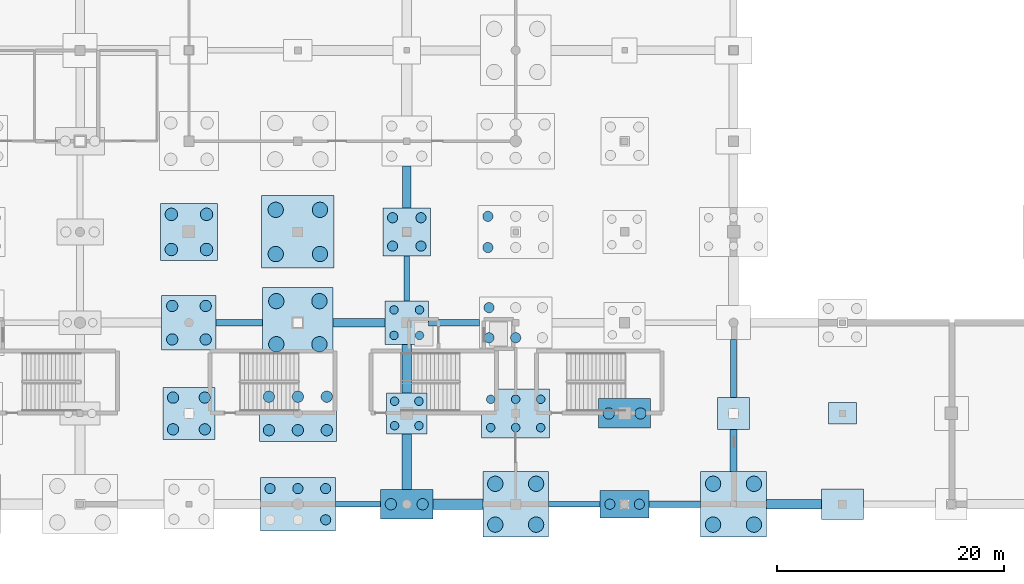
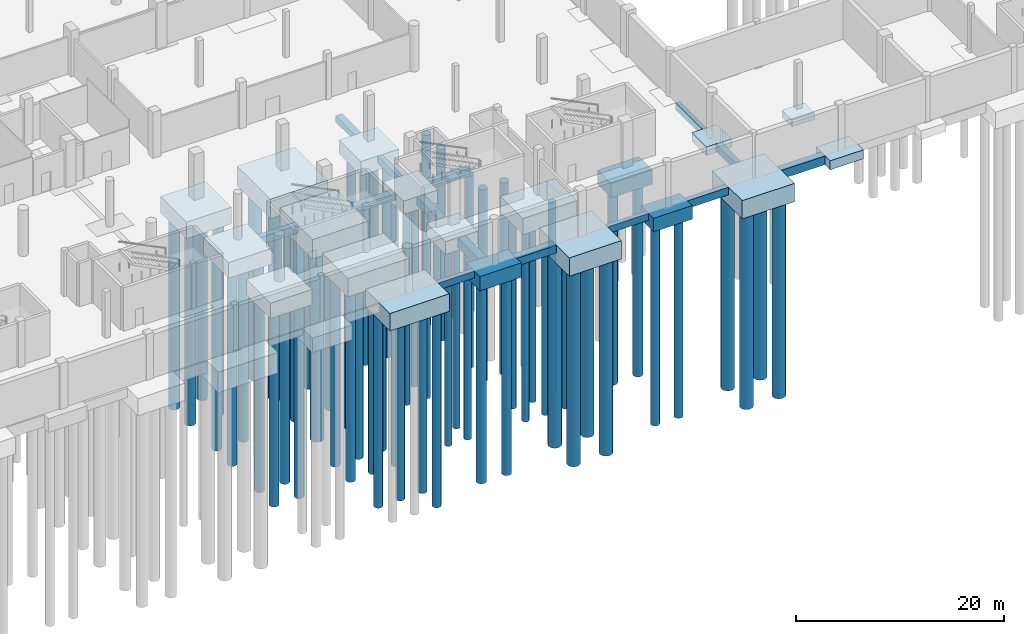
# One storey, part 4 of 44: 67 piles, 33 footings.
"""IFC4 building model written with IfcOpenShell, lengths in metres."""

from ifc_helpers import new_model, si_unit, direction, frame, origin, origin_2d, place, context, subcontext, project, spatial, rectangle, circle, extrude, material, material_profile, profile_set, type_object, element, save


model = new_model("IFC4")

# Units and contexts
model_context = context("Model", 3, precision=1e-05, world=origin(), true_north=direction((0.0, 1.0)))
body_context = subcontext(model_context, "Body", "Model", "MODEL_VIEW")
ifc_project = project(units=[si_unit("LENGTHUNIT", "METRE"), si_unit("AREAUNIT", "SQUARE_METRE"), si_unit("VOLUMEUNIT", "CUBIC_METRE"), si_unit("PLANEANGLEUNIT", "RADIAN"), si_unit("MASSUNIT", "GRAM", prefix="KILO")], contexts=[model_context])

# Site, building, storey
site_placement = place(None, origin())
site = spatial("IfcSite", under=ifc_project, at=site_placement, CompositionType="ELEMENT")
building_placement = place(site_placement, origin())
building = spatial("IfcBuilding", under=site, at=building_placement, Name="Danafjord Basin Convention Centre", CompositionType="ELEMENT")
storey_placement = place(building_placement, frame((0.0, 0.0, -5.39990234375)))
storey = spatial("IfcBuildingStorey", under=building, at=storey_placement, Name="B1", CompositionType="ELEMENT", Elevation=-5.39990234375)

# Footings
ifc_material_1 = material(Name="Concrete C40/50", Category="concrete")
footing_type_1 = type_object("IfcFootingType", Name="CAP-PC-04", PredefinedType="PILE_CAP", material=ifc_material_1)
footing_1_placement = place(storey_placement, frame((105.60009765625, 8.0, -1.60009765625), z_axis=(0.0, 0.0, 1.0), x_axis=(1.0, 0.0, 0.0)))
element("IfcFooting", 1, at=footing_1_placement, inside=storey, type_object=footing_type_1, Name="B1 pile cap PC-04 at (105.6, 8.0)", PredefinedType="PILE_CAP", context=body_context, shape_type="SweptSolid", body=[
    extrude(rectangle(XDim=4.300048828125, YDim=2.39990234375, at=origin_2d()), origin(), (0.0, 0.0, 1.0), 1.60009765625),
])
footing_type_2 = type_object("IfcFootingType", Name="CAP-PC-05", PredefinedType="PILE_CAP", material=ifc_material_1)
for number, where, z_axis, x_axis, name in (
    (2, (86.39990234375, 8.0, -1.7001953125), (0.0, 0.0, 1.0), (1.0, 0.0, 0.0), "B1 pile cap PC-05 at (86.4, 8.0)"),
    (3, (105.60009765625, 16.0, -2.35009765625), (0.0, 0.0, 1.0), (1.0, 0.0, 0.0), "B1 pile cap PC-05 at (105.6, 16.0)"),
):
    element("IfcFooting", number, at=place(storey_placement, frame(where, z_axis=z_axis, x_axis=x_axis)), inside=storey, type_object=footing_type_2, Name=name, PredefinedType="PILE_CAP", context=body_context, shape_type="SweptSolid", body=[
        extrude(rectangle(XDim=4.60009765625, YDim=2.60009765625, at=origin_2d()), origin(), (0.0, 0.0, 1.0), 1.699951171875),
    ])
footing_type_3 = type_object("IfcFootingType", Name="CAP-PC-06", PredefinedType="PILE_CAP", material=ifc_material_1)
footing_2_placement = place(storey_placement, frame((86.39990234375, 16.0, -2.150146484375), z_axis=(0.0, 0.0, 1.0), x_axis=(1.0, 0.0, 0.0)))
element("IfcFooting", 4, at=footing_2_placement, inside=storey, type_object=footing_type_3, Name="B1 pile cap PC-06 at (86.4, 16.0)", PredefinedType="PILE_CAP", context=body_context, shape_type="SweptSolid", body=[
    extrude(rectangle(XDim=3.60009765625, YDim=3.60009765625, at=origin_2d()), origin(), (0.0, 0.0, 1.0), 1.5),
])
footing_type_4 = type_object("IfcFootingType", Name="CAP-PC-07", PredefinedType="PILE_CAP", material=ifc_material_1)
footing_3_placement = place(storey_placement, frame((86.39990234375, 24.0, -2.2001953125), z_axis=(0.0, 0.0, 1.0), x_axis=(1.0, 0.0, 0.0)))
element("IfcFooting", 5, at=footing_3_placement, inside=storey, type_object=footing_type_4, Name="B1 pile cap PC-07 at (86.4, 24.0)", PredefinedType="PILE_CAP", context=body_context, shape_type="SweptSolid", body=[
    extrude(rectangle(XDim=3.800048828125, YDim=3.800048828125, at=origin_2d()), origin(), (0.0, 0.0, 1.0), 1.550048828125),
])
footing_type_5 = type_object("IfcFootingType", Name="CAP-PC-08", PredefinedType="PILE_CAP", material=ifc_material_1)
footing_4_placement = place(storey_placement, frame((86.39990234375, 32.0, -2.300048828125), z_axis=(0.0, 0.0, 1.0), x_axis=(1.0, 0.0, 0.0)))
element("IfcFooting", 6, at=footing_4_placement, inside=storey, type_object=footing_type_5, Name="B1 pile cap PC-08 at (86.4, 32.0)", PredefinedType="PILE_CAP", context=body_context, shape_type="SweptSolid", body=[
    extrude(rectangle(XDim=4.199951171875, YDim=4.199951171875, at=origin_2d()), origin(), (0.0, 0.0, 1.0), 1.64990234375),
])
footing_type_6 = type_object("IfcFootingType", Name="CAP-PC-10", PredefinedType="PILE_CAP", material=ifc_material_1)
footing_5_placement = place(storey_placement, frame((67.199951171875, 16.0, -2.4501953125), z_axis=(0.0, 0.0, 1.0), x_axis=(1.0, 0.0, 0.0)))
element("IfcFooting", 7, at=footing_5_placement, inside=storey, type_object=footing_type_6, Name="B1 pile cap PC-10 at (67.2, 16.0)", PredefinedType="PILE_CAP", context=body_context, shape_type="SweptSolid", body=[
    extrude(rectangle(XDim=4.60009765625, YDim=4.60009765625, at=origin_2d()), origin(), (0.0, 0.0, 1.0), 1.800048828125),
])
footing_type_7 = type_object("IfcFootingType", Name="CAP-PC-11", PredefinedType="PILE_CAP", material=ifc_material_1)
footing_6_placement = place(storey_placement, frame((67.199951171875, 24.0, -2.500244140625), z_axis=(0.0, 0.0, 1.0), x_axis=(1.0, 0.0, 0.0)))
element("IfcFooting", 8, at=footing_6_placement, inside=storey, type_object=footing_type_7, Name="B1 pile cap PC-11 at (67.2, 24.0)", PredefinedType="PILE_CAP", context=body_context, shape_type="SweptSolid", body=[
    extrude(rectangle(XDim=4.800048828125, YDim=4.800048828125, at=origin_2d()), origin(), (0.0, 0.0, 1.0), 1.85009765625),
])
footing_type_8 = type_object("IfcFootingType", Name="CAP-PC-12", PredefinedType="PILE_CAP", material=ifc_material_1)
footing_7_placement = place(storey_placement, frame((67.199951171875, 32.0, -2.60009765625), z_axis=(0.0, 0.0, 1.0), x_axis=(1.0, 0.0, 0.0)))
element("IfcFooting", 9, at=footing_7_placement, inside=storey, type_object=footing_type_8, Name="B1 pile cap PC-12 at (67.2, 32.0)", PredefinedType="PILE_CAP", context=body_context, shape_type="SweptSolid", body=[
    extrude(rectangle(XDim=5.0, YDim=5.0, at=origin_2d()), origin(), (0.0, 0.0, 1.0), 1.949951171875),
])
footing_type_9 = type_object("IfcFootingType", Name="CAP-PC-15", PredefinedType="PILE_CAP", material=ifc_material_1)
for number, where, z_axis, x_axis, name in (
    (10, (96.0, 8.0, -2.150146484375), (0.0, 0.0, 1.0), (1.0, 0.0, 0.0), "B1 pile cap PC-15 at (96.0, 8.0)"),
    (11, (115.199951171875, 8.0, -2.150146484375), (0.0, 0.0, 1.0), (1.0, 0.0, 0.0), "B1 pile cap PC-15 at (115.2, 8.0)"),
):
    element("IfcFooting", number, at=place(storey_placement, frame(where, z_axis=z_axis, x_axis=x_axis)), inside=storey, type_object=footing_type_9, Name=name, PredefinedType="PILE_CAP", context=body_context, shape_type="SweptSolid", body=[
        extrude(rectangle(XDim=5.800048828125, YDim=5.800048828125, at=origin_2d()), origin(), (0.0, 0.0, 1.0), 2.14990234375),
    ])
footing_type_10 = type_object("IfcFootingType", Name="CAP-PC-16", PredefinedType="PILE_CAP", material=ifc_material_1)
footing_8_placement = place(storey_placement, frame((96.0, 16.0, -2.550048828125), z_axis=(0.0, 0.0, 1.0), x_axis=(1.0, 0.0, 0.0)))
element("IfcFooting", 12, at=footing_8_placement, inside=storey, type_object=footing_type_10, Name="B1 pile cap PC-16 at (96.0, 16.0)", PredefinedType="PILE_CAP", context=body_context, shape_type="SweptSolid", body=[
    extrude(rectangle(XDim=6.0, YDim=4.300048828125, at=origin_2d()), origin(), (0.0, 0.0, 1.0), 1.89990234375),
])
footing_type_11 = type_object("IfcFootingType", Name="CAP-PC-18", PredefinedType="PILE_CAP", material=ifc_material_1)
footing_9_placement = place(storey_placement, frame((76.800048828125, 8.0, -2.05029296875), z_axis=(0.0, 0.0, 1.0), x_axis=(1.0, 0.0, 0.0)))
element("IfcFooting", 13, at=footing_9_placement, inside=storey, type_object=footing_type_11, Name="B1 pile cap PC-18 at (76.8, 8.0)", PredefinedType="PILE_CAP", context=body_context, shape_type="SweptSolid", body=[
    extrude(rectangle(XDim=6.60009765625, YDim=4.699951171875, at=origin_2d()), origin(), (0.0, 0.0, 1.0), 2.050048828125),
])
footing_type_12 = type_object("IfcFootingType", Name="CAP-PC-19", PredefinedType="PILE_CAP", material=ifc_material_1)
footing_10_placement = place(storey_placement, frame((76.800048828125, 16.0, -2.800048828125), z_axis=(0.0, 0.0, 1.0), x_axis=(1.0, 0.0, 0.0)))
element("IfcFooting", 14, at=footing_10_placement, inside=storey, type_object=footing_type_12, Name="B1 pile cap PC-19 at (76.8, 16.0)", PredefinedType="PILE_CAP", context=body_context, shape_type="SweptSolid", body=[
    extrude(rectangle(XDim=6.800048828125, YDim=4.89990234375, at=origin_2d()), origin(), (0.0, 0.0, 1.0), 2.14990234375),
])
footing_type_13 = type_object("IfcFootingType", Name="CAP-PC-20", PredefinedType="PILE_CAP", material=ifc_material_1)
footing_11_placement = place(storey_placement, frame((76.800048828125, 24.0, -2.900146484375), z_axis=(0.0, 0.0, 1.0), x_axis=(1.0, 0.0, 0.0)))
element("IfcFooting", 15, at=footing_11_placement, inside=storey, type_object=footing_type_13, Name="B1 pile cap PC-20 at (76.8, 24.0)", PredefinedType="PILE_CAP", context=body_context, shape_type="SweptSolid", body=[
    extrude(rectangle(XDim=6.199951171875, YDim=6.199951171875, at=origin_2d()), origin(), (0.0, 0.0, 1.0), 2.25),
])
footing_type_14 = type_object("IfcFootingType", Name="CAP-PC-21", PredefinedType="PILE_CAP", material=ifc_material_1)
footing_12_placement = place(storey_placement, frame((76.800048828125, 32.0, -2.9501953125), z_axis=(0.0, 0.0, 1.0), x_axis=(1.0, 0.0, 0.0)))
element("IfcFooting", 16, at=footing_12_placement, inside=storey, type_object=footing_type_14, Name="B1 pile cap PC-21 at (76.8, 32.0)", PredefinedType="PILE_CAP", context=body_context, shape_type="SweptSolid", body=[
    extrude(rectangle(XDim=6.39990234375, YDim=6.39990234375, at=origin_2d()), origin(), (0.0, 0.0, 1.0), 2.300048828125),
])
ifc_material_profile_1 = material_profile(ifc_material_1, rectangle(XDim=0.800048828125, YDim=1.0, at=origin_2d()), Name="GB 800x1000")
ifc_profile_set_1 = profile_set([ifc_material_profile_1], Name="Concrete C40/50")
footing_type_15 = type_object("IfcFootingType", Name="FBM-FB-01", PredefinedType="FOOTING_BEAM", material=ifc_profile_set_1)
footing_13_placement = place(storey_placement, frame((86.39990234375, 17.800048828125, -1.150146484375), z_axis=(0.0, 1.0, 0.0), x_axis=(-1.0, 0.0, 0.0)))
element("IfcFooting", 17, at=footing_13_placement, inside=storey, type_object=footing_type_15, Name="B1 foundation tie beam FB-01", PredefinedType="FOOTING_BEAM", context=body_context, shape_type="SweptSolid", body=[
    extrude(rectangle(XDim=0.800048828125, YDim=1.0, at=origin_2d()), origin(), (0.0, 0.0, 1.0), 4.300048828125),
])
footing_14_placement = place(storey_placement, frame((118.10009765625, 8.0, -0.5), z_axis=(1.0, 0.0, 0.0), x_axis=(0.0, 1.0, 0.0)))
element("IfcFooting", 18, at=footing_14_placement, inside=storey, type_object=footing_type_15, Name="B1 foundation beam FB-01", PredefinedType="FOOTING_BEAM", context=body_context, shape_type="SweptSolid", body=[
    extrude(rectangle(XDim=0.800048828125, YDim=1.0, at=origin_2d()), origin(), (0.0, 0.0, 1.0), 4.849853515625),
])
ifc_material_profile_2 = material_profile(ifc_material_1, rectangle(XDim=0.60009765625, YDim=0.89990234375, at=origin_2d()), Name="GB 600x900")
ifc_profile_set_2 = profile_set([ifc_material_profile_2], Name="Concrete C40/50")
footing_type_16 = type_object("IfcFootingType", Name="FBM-FB-02", PredefinedType="FOOTING_BEAM", material=ifc_profile_set_2)
footing_15_placement = place(storey_placement, frame((69.60009765625, 24.0, -1.10009765625), z_axis=(1.0, 0.0, 0.0), x_axis=(0.0, 1.0, 0.0)))
element("IfcFooting", 19, at=footing_15_placement, inside=storey, type_object=footing_type_16, Name="B1 foundation beam FB-02", PredefinedType="FOOTING_BEAM", context=body_context, shape_type="SweptSolid", body=[
    extrude(rectangle(XDim=0.60009765625, YDim=0.89990234375, at=origin_2d()), origin(), (0.0, 0.0, 1.0), 4.099853515625),
])
footing_16_placement = place(storey_placement, frame((88.300048828125, 24.0, -1.10009765625), z_axis=(1.0, 0.0, 0.0), x_axis=(0.0, 1.0, 0.0)))
element("IfcFooting", 20, at=footing_16_placement, inside=storey, type_object=footing_type_16, Name="B1 foundation beam FB-02", PredefinedType="FOOTING_BEAM", context=body_context, shape_type="SweptSolid", body=[
    extrude(rectangle(XDim=0.60009765625, YDim=0.89990234375, at=origin_2d()), origin(), (0.0, 0.0, 1.0), 4.5),
])
footing_17_placement = place(storey_placement, frame((107.75, 8.0, -0.4501953125), z_axis=(1.0, 0.0, 0.0), x_axis=(0.0, 1.0, 0.0)))
element("IfcFooting", 21, at=footing_17_placement, inside=storey, type_object=footing_type_16, Name="B1 foundation beam FB-02", PredefinedType="FOOTING_BEAM", context=body_context, shape_type="SweptSolid", body=[
    extrude(rectangle(XDim=0.60009765625, YDim=0.89990234375, at=origin_2d()), origin(), (0.0, 0.0, 1.0), 4.550048828125),
])
footing_18_placement = place(storey_placement, frame((115.199951171875, 10.89990234375, -0.4501953125), z_axis=(0.0, 1.0, 0.0), x_axis=(-1.0, 0.0, 0.0)))
element("IfcFooting", 22, at=footing_18_placement, inside=storey, type_object=footing_type_16, Name="B1 foundation tie beam FB-02", PredefinedType="FOOTING_BEAM", context=body_context, shape_type="SweptSolid", body=[
    extrude(rectangle(XDim=0.60009765625, YDim=0.89990234375, at=origin_2d()), origin(), (0.0, 0.0, 1.0), 3.7001953125),
])
ifc_material_profile_3 = material_profile(ifc_material_1, rectangle(XDim=0.5, YDim=0.800048828125, at=origin_2d()), Name="PCB 500x800")
ifc_profile_set_3 = profile_set([ifc_material_profile_3], Name="Concrete C40/50")
footing_type_17 = type_object("IfcFootingType", Name="FBM-FB-03", PredefinedType="FOOTING_BEAM", material=ifc_profile_set_3)
for number, where, z_axis, x_axis, name in (
    (23, (80.10009765625, 8.0, -0.400146484375), (1.0, 0.0, 0.0), (0.0, 1.0, 0.0), "B1 foundation beam FB-03"),
    (24, (86.39990234375, 25.89990234375, -1.050048828125), (0.0, 1.0, 0.0), (-1.0, 0.0, 0.0), "B1 foundation tie beam FB-03"),
):
    element("IfcFooting", number, at=place(storey_placement, frame(where, z_axis=z_axis, x_axis=x_axis)), inside=storey, type_object=footing_type_17, Name=name, PredefinedType="FOOTING_BEAM", context=body_context, shape_type="SweptSolid", body=[
        extrude(rectangle(XDim=0.5, YDim=0.800048828125, at=origin_2d()), origin(), (0.0, 0.0, 1.0), 4.0),
    ])
footing_19_placement = place(storey_placement, frame((98.89990234375, 8.0, -0.400146484375), z_axis=(1.0, 0.0, 0.0), x_axis=(0.0, 1.0, 0.0)))
element("IfcFooting", 25, at=footing_19_placement, inside=storey, type_object=footing_type_17, Name="B1 foundation beam FB-03", PredefinedType="FOOTING_BEAM", context=body_context, shape_type="SweptSolid", body=[
    extrude(rectangle(XDim=0.5, YDim=0.800048828125, at=origin_2d()), origin(), (0.0, 0.0, 1.0), 4.550048828125),
])
footing_20_placement = place(storey_placement, frame((115.199951171875, 17.39990234375, -0.400146484375), z_axis=(0.0, 1.0, 0.0), x_axis=(-1.0, 0.0, 0.0)))
element("IfcFooting", 26, at=footing_20_placement, inside=storey, type_object=footing_type_17, Name="B1 foundation tie beam FB-03", PredefinedType="FOOTING_BEAM", context=body_context, shape_type="SweptSolid", body=[
    extrude(rectangle(XDim=0.5, YDim=0.800048828125, at=origin_2d()), origin(), (0.0, 0.0, 1.0), 5.10009765625),
])
ifc_material_profile_4 = material_profile(ifc_material_1, rectangle(XDim=0.75, YDim=0.75, at=origin_2d()), Name="RC 750x750")
ifc_profile_set_4 = profile_set([ifc_material_profile_4], Name="Concrete C40/50")
footing_type_18 = type_object("IfcFootingType", Name="FBM-FB-04", PredefinedType="FOOTING_BEAM", material=ifc_profile_set_4)
footing_21_placement = place(storey_placement, frame((79.89990234375, 24.0, -1.025146484375), z_axis=(1.0, 0.0, 0.0), x_axis=(0.0, 1.0, 0.0)))
element("IfcFooting", 27, at=footing_21_placement, inside=storey, type_object=footing_type_18, Name="B1 foundation beam FB-04", PredefinedType="FOOTING_BEAM", context=body_context, shape_type="SweptSolid", body=[
    extrude(rectangle(XDim=0.75, YDim=0.75, at=origin_2d()), origin(), (0.0, 0.0, 1.0), 4.60009765625),
])
footing_22_placement = place(storey_placement, frame((86.39990234375, 34.10009765625, -1.025146484375), z_axis=(0.0, 1.0, 0.0), x_axis=(-1.0, 0.0, 0.0)))
element("IfcFooting", 28, at=footing_22_placement, inside=storey, type_object=footing_type_18, Name="B1 foundation tie beam FB-04", PredefinedType="FOOTING_BEAM", context=body_context, shape_type="SweptSolid", body=[
    extrude(rectangle(XDim=0.75, YDim=0.75, at=origin_2d()), origin(), (0.0, 0.0, 1.0), 3.699951171875),
])
ifc_material_profile_5 = material_profile(ifc_material_1, rectangle(XDim=0.89990234375, YDim=0.89990234375, at=origin_2d()), Name="RC 900x900")
ifc_profile_set_5 = profile_set([ifc_material_profile_5], Name="Concrete C40/50")
footing_type_19 = type_object("IfcFootingType", Name="FBM-FB-05", PredefinedType="FOOTING_BEAM", material=ifc_profile_set_5)
footing_23_placement = place(storey_placement, frame((88.699951171875, 8.0, -0.4501953125), z_axis=(1.0, 0.0, 0.0), x_axis=(0.0, 1.0, 0.0)))
element("IfcFooting", 29, at=footing_23_placement, inside=storey, type_object=footing_type_19, Name="B1 foundation beam FB-05", PredefinedType="FOOTING_BEAM", context=body_context, shape_type="SweptSolid", body=[
    extrude(rectangle(XDim=0.89990234375, YDim=0.89990234375, at=origin_2d()), origin(), (0.0, 0.0, 1.0), 4.400146484375),
])
ifc_material_profile_6 = material_profile(ifc_material_1, rectangle(XDim=0.800048828125, YDim=1.199951171875, at=origin_2d()), Name="RC 1200x800")
ifc_profile_set_6 = profile_set([ifc_material_profile_6], Name="Concrete C40/50")
footing_type_20 = type_object("IfcFootingType", Name="FBM-FB-06", PredefinedType="FOOTING_BEAM", material=ifc_profile_set_6)
footing_24_placement = place(storey_placement, frame((86.39990234375, 9.300048828125, -1.25), z_axis=(0.0, 1.0, 0.0), x_axis=(-1.0, 0.0, 0.0)))
element("IfcFooting", 30, at=footing_24_placement, inside=storey, type_object=footing_type_20, Name="B1 foundation tie beam FB-06", PredefinedType="FOOTING_BEAM", context=body_context, shape_type="SweptSolid", body=[
    extrude(rectangle(XDim=0.800048828125, YDim=1.199951171875, at=origin_2d()), origin(), (0.0, 0.0, 1.0), 4.89990234375),
])
ifc_material_2 = material(Name="Concrete C35/45", Category="concrete")
footing_type_21 = type_object("IfcFootingType", Name="PAD-PF-05", PredefinedType="PAD_FOOTING", material=ifc_material_2)
footing_25_placement = place(storey_placement, frame((115.199951171875, 16.0, -1.0), z_axis=(0.0, 0.0, 1.0), x_axis=(1.0, 0.0, 0.0)))
element("IfcFooting", 31, at=footing_25_placement, inside=storey, type_object=footing_type_21, Name="B1 pad footing PF-05 at (115.2, 16.0)", PredefinedType="PAD_FOOTING", context=body_context, shape_type="SweptSolid", body=[
    extrude(rectangle(XDim=2.800048828125, YDim=2.800048828125, at=origin_2d()), origin(), (0.0, 0.0, 1.0), 1.0),
])
footing_type_22 = type_object("IfcFootingType", Name="PAD-PF-11", PredefinedType="PAD_FOOTING", material=ifc_material_2)
footing_26_placement = place(storey_placement, frame((124.800048828125, 8.0, -1.05029296875), z_axis=(0.0, 0.0, 1.0), x_axis=(1.0, 0.0, 0.0)))
element("IfcFooting", 32, at=footing_26_placement, inside=storey, type_object=footing_type_22, Name="B1 pad footing PF-11 at (124.8, 8.0)", PredefinedType="PAD_FOOTING", context=body_context, shape_type="SweptSolid", body=[
    extrude(rectangle(XDim=3.699951171875, YDim=2.699951171875, at=origin_2d()), origin(), (0.0, 0.0, 1.0), 1.050048828125),
])
footing_type_23 = type_object("IfcFootingType", Name="PAD-PF-12", PredefinedType="PAD_FOOTING", material=ifc_material_2)
footing_27_placement = place(storey_placement, frame((124.800048828125, 16.0, -1.30029296875), z_axis=(0.0, 0.0, 1.0), x_axis=(1.0, 0.0, 0.0)))
element("IfcFooting", 33, at=footing_27_placement, inside=storey, type_object=footing_type_23, Name="B1 pad footing PF-12 at (124.8, 16.0)", PredefinedType="PAD_FOOTING", context=body_context, shape_type="SweptSolid", body=[
    extrude(rectangle(XDim=2.5, YDim=1.89990234375, at=origin_2d()), origin(), (0.0, 0.0, 1.0), 0.800048828125),
])

# Piles
ifc_material_profile_7 = material_profile(ifc_material_1, circle(Radius=0.5, at=origin_2d()), Name="PILE D1000")
ifc_profile_set_7 = profile_set([ifc_material_profile_7], Name="Concrete C40/50")
pile_type_1 = type_object("IfcPileType", Name="PILE-PL-1000", PredefinedType="BORED", material=ifc_profile_set_7)
for number, where, z_axis, x_axis, name in (
    (34, (65.800048828125, 14.60009765625, -2.35009765625), (0.0, 0.0, -1.0), (1.0, 0.0, 0.0), "PC-10 bored pile 1-1"),
    (35, (65.800048828125, 17.39990234375, -2.35009765625), (0.0, 0.0, -1.0), (1.0, 0.0, 0.0), "PC-10 bored pile 1-2"),
    (36, (68.60009765625, 14.60009765625, -2.35009765625), (0.0, 0.0, -1.0), (1.0, 0.0, 0.0), "PC-10 bored pile 2-1"),
    (37, (68.60009765625, 17.39990234375, -2.35009765625), (0.0, 0.0, -1.0), (1.0, 0.0, 0.0), "PC-10 bored pile 2-2"),
):
    element("IfcPile", number, at=place(storey_placement, frame(where, z_axis=z_axis, x_axis=x_axis)), inside=storey, type_object=pile_type_1, Name=name, PredefinedType="BORED", context=body_context, shape_type="SweptSolid", body=[
        extrude(circle(Radius=0.5, at=origin_2d()), origin(), (0.0, 0.0, 1.0), 22.75),
    ])
for number, where, z_axis, x_axis, name in (
    (38, (65.72509765625, 22.52490234375, -2.400146484375), (0.0, 0.0, -1.0), (1.0, 0.0, 0.0), "PC-11 bored pile 1-1"),
    (39, (65.72509765625, 25.47509765625, -2.400146484375), (0.0, 0.0, -1.0), (1.0, 0.0, 0.0), "PC-11 bored pile 1-2"),
    (40, (68.675048828125, 22.52490234375, -2.400146484375), (0.0, 0.0, -1.0), (1.0, 0.0, 0.0), "PC-11 bored pile 2-1"),
    (41, (68.675048828125, 25.47509765625, -2.400146484375), (0.0, 0.0, -1.0), (1.0, 0.0, 0.0), "PC-11 bored pile 2-2"),
):
    element("IfcPile", number, at=place(storey_placement, frame(where, z_axis=z_axis, x_axis=x_axis)), inside=storey, type_object=pile_type_1, Name=name, PredefinedType="BORED", context=body_context, shape_type="SweptSolid", body=[
        extrude(circle(Radius=0.5, at=origin_2d()), origin(), (0.0, 0.0, 1.0), 22.699951171875),
    ])
for number, where, z_axis, x_axis, name in (
    (42, (74.25, 14.52490234375, -2.7001953125), (0.0, 0.0, -1.0), (1.0, 0.0, 0.0), "PC-19 bored pile 1-1"),
    (43, (74.25, 17.47509765625, -2.7001953125), (0.0, 0.0, -1.0), (1.0, 0.0, 0.0), "PC-19 bored pile 1-2"),
    (44, (76.800048828125, 14.52490234375, -2.7001953125), (0.0, 0.0, -1.0), (1.0, 0.0, 0.0), "PC-19 bored pile 2-1"),
    (45, (76.800048828125, 17.47509765625, -2.7001953125), (0.0, 0.0, -1.0), (1.0, 0.0, 0.0), "PC-19 bored pile 2-2"),
    (46, (79.35009765625, 14.52490234375, -2.7001953125), (0.0, 0.0, -1.0), (1.0, 0.0, 0.0), "PC-19 bored pile 3-1"),
    (47, (79.35009765625, 17.47509765625, -2.7001953125), (0.0, 0.0, -1.0), (1.0, 0.0, 0.0), "PC-19 bored pile 3-2"),
):
    element("IfcPile", number, at=place(storey_placement, frame(where, z_axis=z_axis, x_axis=x_axis)), inside=storey, type_object=pile_type_1, Name=name, PredefinedType="BORED", context=body_context, shape_type="SweptSolid", body=[
        extrude(circle(Radius=0.5, at=origin_2d()), origin(), (0.0, 0.0, 1.0), 22.39990234375),
    ])
for number, where, z_axis, x_axis, name in (
    (48, (85.0, 8.0, -1.60009765625), (0.0, 0.0, -1.0), (1.0, 0.0, 0.0), "PC-05 bored pile 1-1"),
    (49, (87.800048828125, 8.0, -1.60009765625), (0.0, 0.0, -1.0), (1.0, 0.0, 0.0), "PC-05 bored pile 2-1"),
):
    element("IfcPile", number, at=place(storey_placement, frame(where, z_axis=z_axis, x_axis=x_axis)), inside=storey, type_object=pile_type_1, Name=name, PredefinedType="BORED", context=body_context, shape_type="SweptSolid", body=[
        extrude(circle(Radius=0.5, at=origin_2d()), origin(), (0.0, 0.0, 1.0), 23.5),
    ])
for number, where, z_axis, x_axis, name in (
    (50, (104.199951171875, 16.0, -2.25), (0.0, 0.0, -1.0), (1.0, 0.0, 0.0), "PC-05 bored pile 1-1"),
    (51, (107.0, 16.0, -2.25), (0.0, 0.0, -1.0), (1.0, 0.0, 0.0), "PC-05 bored pile 2-1"),
):
    element("IfcPile", number, at=place(storey_placement, frame(where, z_axis=z_axis, x_axis=x_axis)), inside=storey, type_object=pile_type_1, Name=name, PredefinedType="BORED", context=body_context, shape_type="SweptSolid", body=[
        extrude(circle(Radius=0.5, at=origin_2d()), origin(), (0.0, 0.0, 1.0), 22.85009765625),
    ])
ifc_material_profile_8 = material_profile(ifc_material_1, circle(Radius=0.550048828125, at=origin_2d()), Name="PILE D1100")
ifc_profile_set_8 = profile_set([ifc_material_profile_8], Name="Concrete C40/50")
pile_type_2 = type_object("IfcPileType", Name="PILE-PL-1100", PredefinedType="BORED", material=ifc_profile_set_8)
for number, where, z_axis, x_axis, name in (
    (52, (65.64990234375, 30.449951171875, -2.5), (0.0, 0.0, -1.0), (1.0, 0.0, 0.0), "PC-12 bored pile 1-1"),
    (53, (65.64990234375, 33.550048828125, -2.5), (0.0, 0.0, -1.0), (1.0, 0.0, 0.0), "PC-12 bored pile 1-2"),
    (54, (68.75, 30.449951171875, -2.5), (0.0, 0.0, -1.0), (1.0, 0.0, 0.0), "PC-12 bored pile 2-1"),
    (55, (68.75, 33.550048828125, -2.5), (0.0, 0.0, -1.0), (1.0, 0.0, 0.0), "PC-12 bored pile 2-2"),
):
    element("IfcPile", number, at=place(storey_placement, frame(where, z_axis=z_axis, x_axis=x_axis)), inside=storey, type_object=pile_type_2, Name=name, PredefinedType="BORED", context=body_context, shape_type="SweptSolid", body=[
        extrude(circle(Radius=0.550048828125, at=origin_2d()), origin(), (0.0, 0.0, 1.0), 22.60009765625),
    ])
ifc_material_profile_9 = material_profile(ifc_material_1, circle(Radius=0.675048828125, at=origin_2d()), Name="PILE D1350")
ifc_profile_set_9 = profile_set([ifc_material_profile_9], Name="Concrete C40/50")
pile_type_3 = type_object("IfcPileType", Name="PILE-PL-1350", PredefinedType="BORED", material=ifc_profile_set_9)
for number, where, z_axis, x_axis, name in (
    (56, (74.89990234375, 22.10009765625, -2.800048828125), (0.0, 0.0, -1.0), (1.0, 0.0, 0.0), "PC-20 bored pile 1-1"),
    (57, (74.89990234375, 25.89990234375, -2.800048828125), (0.0, 0.0, -1.0), (1.0, 0.0, 0.0), "PC-20 bored pile 1-2"),
    (58, (78.699951171875, 22.10009765625, -2.800048828125), (0.0, 0.0, -1.0), (1.0, 0.0, 0.0), "PC-20 bored pile 2-1"),
    (59, (78.699951171875, 25.89990234375, -2.800048828125), (0.0, 0.0, -1.0), (1.0, 0.0, 0.0), "PC-20 bored pile 2-2"),
):
    element("IfcPile", number, at=place(storey_placement, frame(where, z_axis=z_axis, x_axis=x_axis)), inside=storey, type_object=pile_type_3, Name=name, PredefinedType="BORED", context=body_context, shape_type="SweptSolid", body=[
        extrude(circle(Radius=0.675048828125, at=origin_2d()), origin(), (0.0, 0.0, 1.0), 22.300048828125),
    ])
for number, where, z_axis, x_axis, name in (
    (60, (74.85009765625, 30.050048828125, -2.85009765625), (0.0, 0.0, -1.0), (1.0, 0.0, 0.0), "PC-21 bored pile 1-1"),
    (61, (74.85009765625, 33.949951171875, -2.85009765625), (0.0, 0.0, -1.0), (1.0, 0.0, 0.0), "PC-21 bored pile 1-2"),
    (62, (78.75, 30.050048828125, -2.85009765625), (0.0, 0.0, -1.0), (1.0, 0.0, 0.0), "PC-21 bored pile 2-1"),
    (63, (78.75, 33.949951171875, -2.85009765625), (0.0, 0.0, -1.0), (1.0, 0.0, 0.0), "PC-21 bored pile 2-2"),
):
    element("IfcPile", number, at=place(storey_placement, frame(where, z_axis=z_axis, x_axis=x_axis)), inside=storey, type_object=pile_type_3, Name=name, PredefinedType="BORED", context=body_context, shape_type="SweptSolid", body=[
        extrude(circle(Radius=0.675048828125, at=origin_2d()), origin(), (0.0, 0.0, 1.0), 22.25),
    ])
for number, where, z_axis, x_axis, name in (
    (64, (94.199951171875, 6.199951171875, -2.050048828125), (0.0, 0.0, -1.0), (1.0, 0.0, 0.0), "PC-15 bored pile 1-1"),
    (65, (94.199951171875, 9.800048828125, -2.050048828125), (0.0, 0.0, -1.0), (1.0, 0.0, 0.0), "PC-15 bored pile 1-2"),
    (66, (97.800048828125, 6.199951171875, -2.050048828125), (0.0, 0.0, -1.0), (1.0, 0.0, 0.0), "PC-15 bored pile 2-1"),
    (67, (97.800048828125, 9.800048828125, -2.050048828125), (0.0, 0.0, -1.0), (1.0, 0.0, 0.0), "PC-15 bored pile 2-2"),
    (68, (113.39990234375, 6.199951171875, -2.050048828125), (0.0, 0.0, -1.0), (1.0, 0.0, 0.0), "PC-15 bored pile 1-1"),
    (69, (113.39990234375, 9.800048828125, -2.050048828125), (0.0, 0.0, -1.0), (1.0, 0.0, 0.0), "PC-15 bored pile 1-2"),
    (70, (117.0, 6.199951171875, -2.050048828125), (0.0, 0.0, -1.0), (1.0, 0.0, 0.0), "PC-15 bored pile 2-1"),
    (71, (117.0, 9.800048828125, -2.050048828125), (0.0, 0.0, -1.0), (1.0, 0.0, 0.0), "PC-15 bored pile 2-2"),
):
    element("IfcPile", number, at=place(storey_placement, frame(where, z_axis=z_axis, x_axis=x_axis)), inside=storey, type_object=pile_type_3, Name=name, PredefinedType="BORED", context=body_context, shape_type="SweptSolid", body=[
        extrude(circle(Radius=0.675048828125, at=origin_2d()), origin(), (0.0, 0.0, 1.0), 23.050048828125),
    ])
ifc_material_profile_10 = material_profile(ifc_material_1, circle(Radius=0.375, at=origin_2d()), Name="PILE D750")
ifc_profile_set_10 = profile_set([ifc_material_profile_10], Name="Concrete C40/50")
pile_type_4 = type_object("IfcPileType", Name="PILE-PL-750", PredefinedType="BORED", material=ifc_profile_set_10)
for number, where, z_axis, x_axis, name in (
    (72, (85.324951171875, 14.925048828125, -2.050048828125), (0.0, 0.0, -1.0), (1.0, 0.0, 0.0), "PC-06 bored pile 1-1"),
    (73, (85.324951171875, 17.074951171875, -2.050048828125), (0.0, 0.0, -1.0), (1.0, 0.0, 0.0), "PC-06 bored pile 1-2"),
    (74, (87.47509765625, 14.925048828125, -2.050048828125), (0.0, 0.0, -1.0), (1.0, 0.0, 0.0), "PC-06 bored pile 2-1"),
    (75, (87.47509765625, 17.074951171875, -2.050048828125), (0.0, 0.0, -1.0), (1.0, 0.0, 0.0), "PC-06 bored pile 2-2"),
):
    element("IfcPile", number, at=place(storey_placement, frame(where, z_axis=z_axis, x_axis=x_axis)), inside=storey, type_object=pile_type_4, Name=name, PredefinedType="BORED", context=body_context, shape_type="SweptSolid", body=[
        extrude(circle(Radius=0.375, at=origin_2d()), origin(), (0.0, 0.0, 1.0), 23.050048828125),
    ])
for number, where, z_axis, x_axis, name in (
    (76, (85.27490234375, 22.875, -2.10009765625), (0.0, 0.0, -1.0), (1.0, 0.0, 0.0), "PC-07 bored pile 1-1"),
    (77, (85.27490234375, 25.125, -2.10009765625), (0.0, 0.0, -1.0), (1.0, 0.0, 0.0), "PC-07 bored pile 1-2"),
    (78, (87.52490234375, 22.875, -2.10009765625), (0.0, 0.0, -1.0), (1.0, 0.0, 0.0), "PC-07 bored pile 2-1"),
    (79, (87.52490234375, 25.125, -2.10009765625), (0.0, 0.0, -1.0), (1.0, 0.0, 0.0), "PC-07 bored pile 2-2"),
):
    element("IfcPile", number, at=place(storey_placement, frame(where, z_axis=z_axis, x_axis=x_axis)), inside=storey, type_object=pile_type_4, Name=name, PredefinedType="BORED", context=body_context, shape_type="SweptSolid", body=[
        extrude(circle(Radius=0.375, at=origin_2d()), origin(), (0.0, 0.0, 1.0), 23.0),
    ])
for number, where, z_axis, x_axis, name in (
    (80, (93.800048828125, 14.75, -2.4501953125), (0.0, 0.0, -1.0), (1.0, 0.0, 0.0), "PC-16 bored pile 1-1"),
    (81, (93.800048828125, 17.25, -2.4501953125), (0.0, 0.0, -1.0), (1.0, 0.0, 0.0), "PC-16 bored pile 1-2"),
    (82, (96.0, 14.75, -2.4501953125), (0.0, 0.0, -1.0), (1.0, 0.0, 0.0), "PC-16 bored pile 2-1"),
    (83, (96.0, 17.25, -2.4501953125), (0.0, 0.0, -1.0), (1.0, 0.0, 0.0), "PC-16 bored pile 2-2"),
    (84, (98.199951171875, 14.75, -2.4501953125), (0.0, 0.0, -1.0), (1.0, 0.0, 0.0), "PC-16 bored pile 3-1"),
    (85, (98.199951171875, 17.25, -2.4501953125), (0.0, 0.0, -1.0), (1.0, 0.0, 0.0), "PC-16 bored pile 3-2"),
):
    element("IfcPile", number, at=place(storey_placement, frame(where, z_axis=z_axis, x_axis=x_axis)), inside=storey, type_object=pile_type_4, Name=name, PredefinedType="BORED", context=body_context, shape_type="SweptSolid", body=[
        extrude(circle(Radius=0.375, at=origin_2d()), origin(), (0.0, 0.0, 1.0), 22.64990234375),
    ])
ifc_material_profile_11 = material_profile(ifc_material_1, circle(Radius=0.449951171875, at=origin_2d()), Name="PILE D900")
ifc_profile_set_11 = profile_set([ifc_material_profile_11], Name="Concrete C40/50")
pile_type_5 = type_object("IfcPileType", Name="PILE-PL-900", PredefinedType="BORED", material=ifc_profile_set_11)
for number, where, z_axis, x_axis, name in (
    (86, (74.35009765625, 9.375, -1.9501953125), (0.0, 0.0, -1.0), (1.0, 0.0, 0.0), "PC-18 bored pile 1-2"),
    (87, (76.800048828125, 9.375, -1.9501953125), (0.0, 0.0, -1.0), (1.0, 0.0, 0.0), "PC-18 bored pile 2-2"),
    (88, (79.25, 6.625, -1.9501953125), (0.0, 0.0, -1.0), (1.0, 0.0, 0.0), "PC-18 bored pile 3-1"),
    (89, (79.25, 9.375, -1.9501953125), (0.0, 0.0, -1.0), (1.0, 0.0, 0.0), "PC-18 bored pile 3-2"),
):
    element("IfcPile", number, at=place(storey_placement, frame(where, z_axis=z_axis, x_axis=x_axis)), inside=storey, type_object=pile_type_5, Name=name, PredefinedType="BORED", context=body_context, shape_type="SweptSolid", body=[
        extrude(circle(Radius=0.449951171875, at=origin_2d()), origin(), (0.0, 0.0, 1.0), 23.14990234375),
    ])
for number, where, z_axis, x_axis, name in (
    (90, (85.14990234375, 30.75, -2.2001953125), (0.0, 0.0, -1.0), (1.0, 0.0, 0.0), "PC-08 bored pile 1-1"),
    (91, (85.14990234375, 33.25, -2.2001953125), (0.0, 0.0, -1.0), (1.0, 0.0, 0.0), "PC-08 bored pile 1-2"),
    (92, (87.64990234375, 30.75, -2.2001953125), (0.0, 0.0, -1.0), (1.0, 0.0, 0.0), "PC-08 bored pile 2-1"),
    (93, (87.64990234375, 33.25, -2.2001953125), (0.0, 0.0, -1.0), (1.0, 0.0, 0.0), "PC-08 bored pile 2-2"),
):
    element("IfcPile", number, at=place(storey_placement, frame(where, z_axis=z_axis, x_axis=x_axis)), inside=storey, type_object=pile_type_5, Name=name, PredefinedType="BORED", context=body_context, shape_type="SweptSolid", body=[
        extrude(circle(Radius=0.449951171875, at=origin_2d()), origin(), (0.0, 0.0, 1.0), 22.89990234375),
    ])
for number, where, z_axis, x_axis, name in (
    (94, (93.64990234375, 22.675048828125, -2.550048828125), (0.0, 0.0, -1.0), (1.0, 0.0, 0.0), "PC-17 bored pile 1-1"),
    (95, (93.64990234375, 25.324951171875, -2.550048828125), (0.0, 0.0, -1.0), (1.0, 0.0, 0.0), "PC-17 bored pile 1-2"),
    (96, (96.0, 22.675048828125, -2.550048828125), (0.0, 0.0, -1.0), (1.0, 0.0, 0.0), "PC-17 bored pile 2-1"),
):
    element("IfcPile", number, at=place(storey_placement, frame(where, z_axis=z_axis, x_axis=x_axis)), inside=storey, type_object=pile_type_5, Name=name, PredefinedType="BORED", context=body_context, shape_type="SweptSolid", body=[
        extrude(circle(Radius=0.449951171875, at=origin_2d()), origin(), (0.0, 0.0, 1.0), 22.550048828125),
    ])
for number, where, z_axis, x_axis, name in (
    (97, (93.550048828125, 30.625, -2.60009765625), (0.0, 0.0, -1.0), (1.0, 0.0, 0.0), "PC-18 bored pile 1-1"),
    (98, (93.550048828125, 33.375, -2.60009765625), (0.0, 0.0, -1.0), (1.0, 0.0, 0.0), "PC-18 bored pile 1-2"),
):
    element("IfcPile", number, at=place(storey_placement, frame(where, z_axis=z_axis, x_axis=x_axis)), inside=storey, type_object=pile_type_5, Name=name, PredefinedType="BORED", context=body_context, shape_type="SweptSolid", body=[
        extrude(circle(Radius=0.449951171875, at=origin_2d()), origin(), (0.0, 0.0, 1.0), 22.5),
    ])
for number, where, z_axis, x_axis, name in (
    (99, (104.300048828125, 8.0, -1.5), (0.0, 0.0, -1.0), (1.0, 0.0, 0.0), "PC-04 bored pile 1-1"),
    (100, (106.89990234375, 8.0, -1.5), (0.0, 0.0, -1.0), (1.0, 0.0, 0.0), "PC-04 bored pile 2-1"),
):
    element("IfcPile", number, at=place(storey_placement, frame(where, z_axis=z_axis, x_axis=x_axis)), inside=storey, type_object=pile_type_5, Name=name, PredefinedType="BORED", context=body_context, shape_type="SweptSolid", body=[
        extrude(circle(Radius=0.449951171875, at=origin_2d()), origin(), (0.0, 0.0, 1.0), 23.60009765625),
    ])

save(model, "model.ifc")
